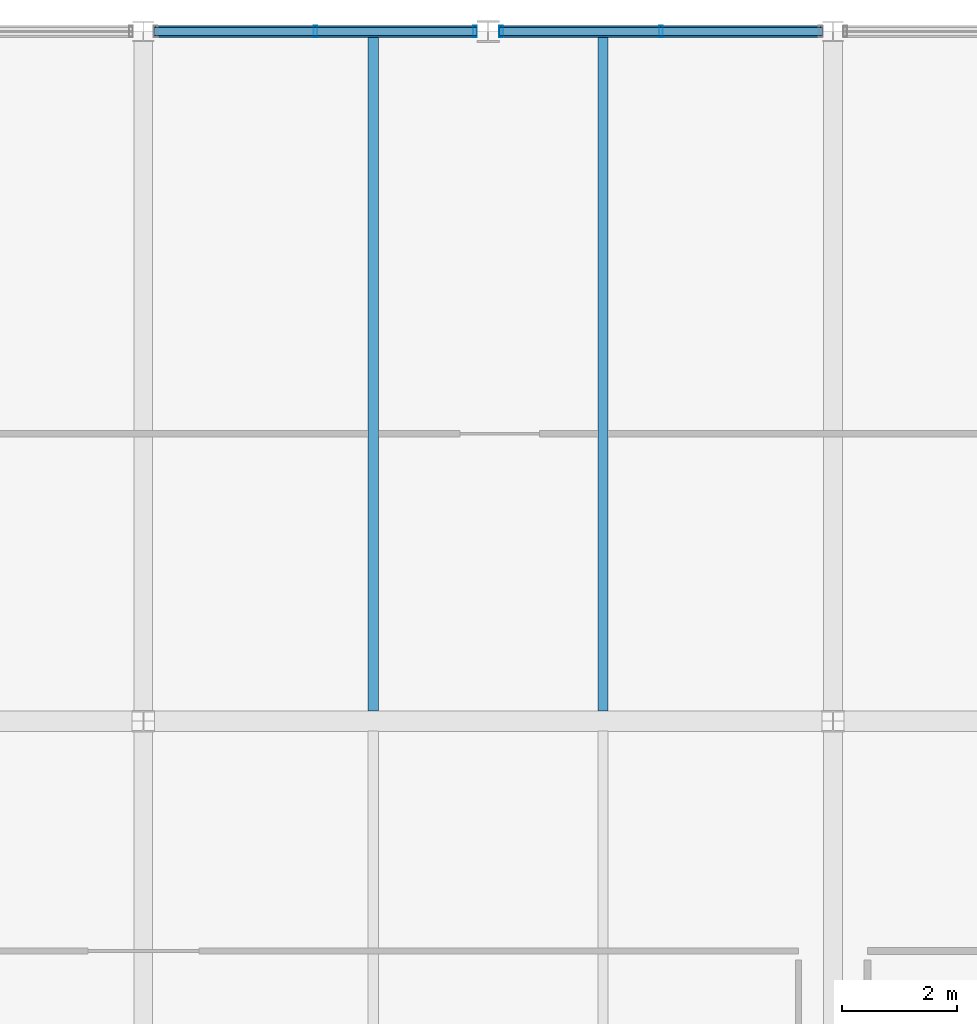
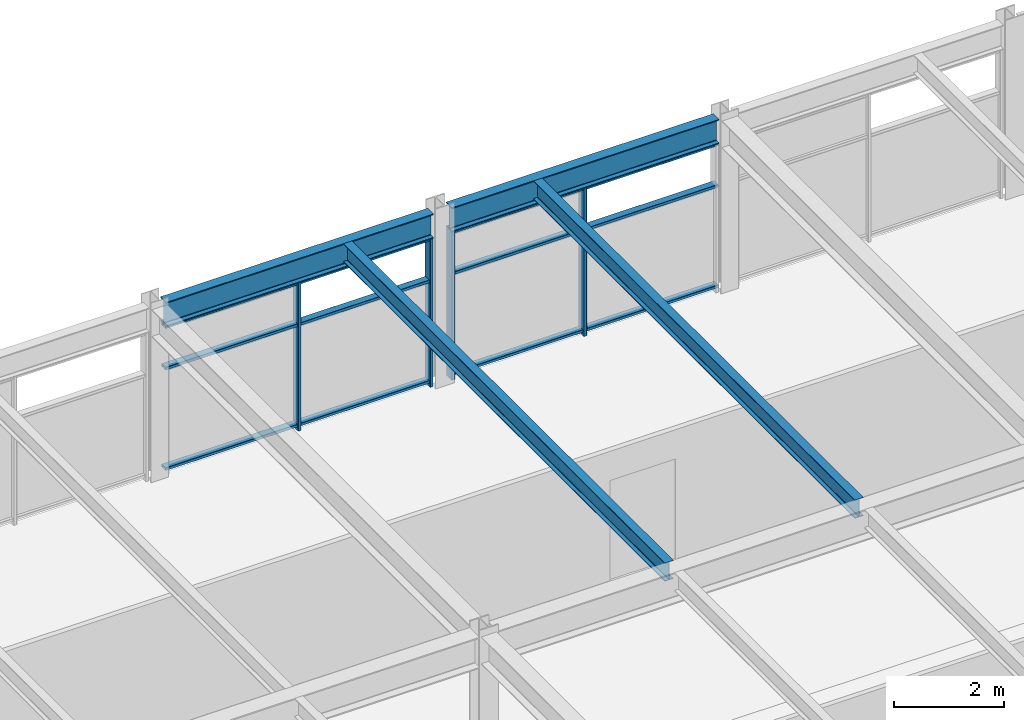
# One storey, part 15 of 30: 10 members, 4 beams, 2 elements without a shape of their own.
"""IFC4 building model written with IfcOpenShell, lengths in metres."""

from ifc_helpers import new_model, si_unit, direction, frame, origin, origin_2d, place, context, subcontext, project, spatial, hollow_rectangle, i_section, extrude, material, material_profile, profile_set, type_object, element, aggregate, save


model = new_model("IFC4")

# Units and contexts
model_context = context("Model", 3, precision=1e-05, world=origin(), true_north=direction((0.0, 1.0)))
body_context = subcontext(model_context, "Body", "Model", "MODEL_VIEW")
ifc_project = project(units=[si_unit("LENGTHUNIT", "METRE"), si_unit("AREAUNIT", "SQUARE_METRE"), si_unit("VOLUMEUNIT", "CUBIC_METRE"), si_unit("PLANEANGLEUNIT", "RADIAN"), si_unit("MASSUNIT", "GRAM", prefix="KILO")], contexts=[model_context])

# Site, building, storey
site_placement = place(None, origin())
site = spatial("IfcSite", under=ifc_project, at=site_placement, CompositionType="ELEMENT")
building_placement = place(site_placement, origin())
building = spatial("IfcBuilding", under=site, at=building_placement, Name="Girod Span Mobility Hub", CompositionType="ELEMENT")
storey_placement = place(building_placement, frame((0.0, 0.0, 49.60009765625)))
storey = spatial("IfcBuildingStorey", under=building, at=storey_placement, Name="L12", CompositionType="ELEMENT", Elevation=49.60009765625)

# Beams
ifc_material_1 = material(Name="Steel A992 Grade 50", Category="steel")
ifc_material_profile_1 = material_profile(ifc_material_1, i_section(OverallWidth=0.178955078125, OverallDepth=0.409912109375, WebThickness=0.0087890625, FlangeThickness=0.014404296875, FilletRadius=0.012939453125, at=origin_2d()), Name="W16X45")
ifc_profile_set_1 = profile_set([ifc_material_profile_1], Name="Steel A992 Grade 50")
beam_type_1 = type_object("IfcBeamType", Name="BM-STL-W16X45", PredefinedType="BEAM", material=ifc_profile_set_1)
for number, where, z_axis, x_axis, name in (
    (1, (88.0, 57.174560546875, 3.639892578125), (0.0, 1.0, 0.0), (-1.0, 0.0, 0.0), "Composite Floorbeam 8/E-1 L12"),
    (2, (92.0, 57.174560546875, 3.639892578125), (0.0, 1.0, 0.0), (-1.0, 0.0, 0.0), "Composite Floorbeam 8/E-2 L12"),
):
    element("IfcBeam", number, at=place(storey_placement, frame(where, z_axis=z_axis, x_axis=x_axis)), inside=storey, type_object=beam_type_1, Name=name, PredefinedType="BEAM", context=body_context, shape_type="SweptSolid", body=[
        extrude(i_section(OverallWidth=0.178955078125, OverallDepth=0.409912109375, WebThickness=0.0087890625, FlangeThickness=0.014404296875, FilletRadius=0.012939453125, at=origin_2d()), origin(), (0.0, 0.0, 1.0), 11.722412109375),
    ])
ifc_material_2 = material(Name="Steel A992 Grade 50", Category="steel")
ifc_material_profile_2 = material_profile(ifc_material_2, i_section(OverallWidth=0.2119140625, OverallDepth=0.5439453125, WebThickness=0.01318359375, FlangeThickness=0.021240234375, FilletRadius=0.014892578125, at=origin_2d()), Name="W21X83")
ifc_profile_set_2 = profile_set([ifc_material_profile_2], Name="Steel A992 Grade 50")
beam_type_2 = type_object("IfcBeamType", Name="BM-STL-W21X83", PredefinedType="SPANDREL", material=ifc_profile_set_2)
for number, where, z_axis, x_axis, name in (
    (3, (84.181396484375, 69.0, 3.572998046875), (1.0, 0.0, 0.0), (0.0, 1.0, 0.0), "Spandrel Beam 8-9/F-W L12"),
    (4, (90.194091796875, 69.0, 3.572998046875), (1.0, 0.0, 0.0), (0.0, 1.0, 0.0), "Spandrel Beam 8-9/F-E L12"),
):
    element("IfcBeam", number, at=place(storey_placement, frame(where, z_axis=z_axis, x_axis=x_axis)), inside=storey, type_object=beam_type_2, Name=name, PredefinedType="SPANDREL", context=body_context, shape_type="SweptSolid", body=[
        extrude(i_section(OverallWidth=0.2119140625, OverallDepth=0.5439453125, WebThickness=0.01318359375, FlangeThickness=0.021240234375, FilletRadius=0.014892578125, at=origin_2d()), origin(), (0.0, 0.0, 1.0), 5.62451171875),
    ])

# Curtain wall, members
ifc_material_3 = material(Name="Thermally Broken Anodised Aluminium", Category="aluminium")
curtain_wall_type = type_object("IfcCurtainWallType", Name="CW-562X330", PredefinedType="USERDEFINED", material=ifc_material_3)
curtain_wall_1_placement = place(storey_placement, origin())
curtain_wall_1 = element("IfcCurtainWall", 5, at=curtain_wall_1_placement, inside=storey, type_object=curtain_wall_type, Name="Unitised Curtain Wall CW-L12-N08W L12", ObjectType="UNITISED CURTAIN WALL", PredefinedType="USERDEFINED")
ifc_material_4 = material(Name="Thermally Broken Anodised Aluminium", Category="aluminium")
ifc_material_profile_3 = material_profile(ifc_material_4, hollow_rectangle(XDim=0.199951171875, YDim=0.06494140625, WallThickness=0.00390625, InnerFilletRadius=0.00390625, OuterFilletRadius=0.008056640625, at=origin_2d()), Name="CW-ML-65X200")
ifc_profile_set_3 = profile_set([ifc_material_profile_3], Name="Thermally Broken Anodised Aluminium")
member_type_1 = type_object("IfcMemberType", Name="CWM-ML-1", PredefinedType="MULLION", material=ifc_profile_set_3)
member_1_placement = place(storey_placement, frame((86.993896484375, 69.0, 0.0), z_axis=(0.0, 0.0, 1.0), x_axis=(0.0, 1.0, 0.0)))
member_1 = element("IfcMember", 6, at=member_1_placement, type_object=member_type_1, Name="Curtain Wall Mullion CW-L12-N08W-M1", PredefinedType="MULLION", context=body_context, shape_type="SweptSolid", body=[
    extrude(hollow_rectangle(XDim=0.199951171875, YDim=0.06494140625, WallThickness=0.00390625, InnerFilletRadius=0.00390625, OuterFilletRadius=0.008056640625, at=origin_2d()), origin(), (0.0, 0.0, 1.0), 3.30078125),
])
member_2_placement = place(storey_placement, frame((89.77294921875, 69.0, 0.0), z_axis=(0.0, 0.0, 1.0), x_axis=(0.0, 1.0, 0.0)))
member_2 = element("IfcMember", 7, at=member_2_placement, type_object=member_type_1, Name="Curtain Wall Mullion CW-L12-N08W-M2", PredefinedType="MULLION", context=body_context, shape_type="SweptSolid", body=[
    extrude(hollow_rectangle(XDim=0.199951171875, YDim=0.06494140625, WallThickness=0.00390625, InnerFilletRadius=0.00390625, OuterFilletRadius=0.008056640625, at=origin_2d()), origin(), (0.0, 0.0, 1.0), 3.30078125),
])

curtain_wall_2_placement = place(storey_placement, origin())
curtain_wall_2 = element("IfcCurtainWall", 8, at=curtain_wall_2_placement, inside=storey, type_object=curtain_wall_type, Name="Unitised Curtain Wall CW-L12-N08E L12", ObjectType="UNITISED CURTAIN WALL", PredefinedType="USERDEFINED")
member_3_placement = place(storey_placement, frame((90.22705078125, 69.0, 0.0), z_axis=(0.0, 0.0, 1.0), x_axis=(0.0, 1.0, 0.0)))
member_3 = element("IfcMember", 9, at=member_3_placement, type_object=member_type_1, Name="Curtain Wall Mullion CW-L12-N08E-M0", PredefinedType="MULLION", context=body_context, shape_type="SweptSolid", body=[
    extrude(hollow_rectangle(XDim=0.199951171875, YDim=0.06494140625, WallThickness=0.00390625, InnerFilletRadius=0.00390625, OuterFilletRadius=0.008056640625, at=origin_2d()), origin(), (0.0, 0.0, 1.0), 3.30078125),
])
member_4_placement = place(storey_placement, frame((93.006103515625, 69.0, 0.0), z_axis=(0.0, 0.0, 1.0), x_axis=(0.0, 1.0, 0.0)))
member_4 = element("IfcMember", 10, at=member_4_placement, type_object=member_type_1, Name="Curtain Wall Mullion CW-L12-N08E-M1", PredefinedType="MULLION", context=body_context, shape_type="SweptSolid", body=[
    extrude(hollow_rectangle(XDim=0.199951171875, YDim=0.06494140625, WallThickness=0.00390625, InnerFilletRadius=0.00390625, OuterFilletRadius=0.008056640625, at=origin_2d()), origin(), (0.0, 0.0, 1.0), 3.30078125),
])

# Member
ifc_material_5 = material(Name="Thermally Broken Anodised Aluminium", Category="aluminium")
ifc_material_profile_4 = material_profile(ifc_material_5, hollow_rectangle(XDim=0.14990234375, YDim=0.06494140625, WallThickness=0.00390625, InnerFilletRadius=0.00390625, OuterFilletRadius=0.008056640625, at=origin_2d()), Name="CW-TR-65X150")
ifc_profile_set_4 = profile_set([ifc_material_profile_4], Name="Thermally Broken Anodised Aluminium")
member_type_2 = type_object("IfcMemberType", Name="CWM-TR-1", PredefinedType="USERDEFINED", material=ifc_profile_set_4)
member_5_placement = place(storey_placement, frame((84.1826171875, 69.0, 0.107421875), z_axis=(1.0, 0.0, 0.0), x_axis=(0.0, 1.0, 0.0)))
member_5 = element("IfcMember", 11, at=member_5_placement, type_object=member_type_2, Name="Curtain Wall Transom CW-L12-N08W-T1", ObjectType="TRANSOM", PredefinedType="USERDEFINED", context=body_context, shape_type="SweptSolid", body=[
    extrude(hollow_rectangle(XDim=0.14990234375, YDim=0.06494140625, WallThickness=0.00390625, InnerFilletRadius=0.00390625, OuterFilletRadius=0.008056640625, at=origin_2d()), origin(), (0.0, 0.0, 1.0), 5.622314453125),
])

member_6_placement = place(storey_placement, frame((84.1826171875, 69.0, 2.343994140625), z_axis=(1.0, 0.0, 0.0), x_axis=(0.0, 1.0, 0.0)))
member_6 = element("IfcMember", 12, at=member_6_placement, type_object=member_type_2, Name="Curtain Wall Transom CW-L12-N08W-T2", ObjectType="TRANSOM", PredefinedType="USERDEFINED", context=body_context, shape_type="SweptSolid", body=[
    extrude(hollow_rectangle(XDim=0.14990234375, YDim=0.06494140625, WallThickness=0.00390625, InnerFilletRadius=0.00390625, OuterFilletRadius=0.008056640625, at=origin_2d()), origin(), (0.0, 0.0, 1.0), 5.622314453125),
])

member_7_placement = place(storey_placement, frame((84.1826171875, 69.0, 3.268310546875), z_axis=(1.0, 0.0, 0.0), x_axis=(0.0, 1.0, 0.0)))
member_7 = element("IfcMember", 13, at=member_7_placement, type_object=member_type_2, Name="Curtain Wall Transom CW-L12-N08W-T3", ObjectType="TRANSOM", PredefinedType="USERDEFINED", context=body_context, shape_type="SweptSolid", body=[
    extrude(hollow_rectangle(XDim=0.14990234375, YDim=0.06494140625, WallThickness=0.00390625, InnerFilletRadius=0.00390625, OuterFilletRadius=0.008056640625, at=origin_2d()), origin(), (0.0, 0.0, 1.0), 5.622314453125),
])

aggregate(curtain_wall_1, [member_1, member_2, member_5, member_6, member_7])

member_8_placement = place(storey_placement, frame((90.195068359375, 69.0, 0.107421875), z_axis=(1.0, 0.0, 0.0), x_axis=(0.0, 1.0, 0.0)))
member_8 = element("IfcMember", 14, at=member_8_placement, type_object=member_type_2, Name="Curtain Wall Transom CW-L12-N08E-T1", ObjectType="TRANSOM", PredefinedType="USERDEFINED", context=body_context, shape_type="SweptSolid", body=[
    extrude(hollow_rectangle(XDim=0.14990234375, YDim=0.06494140625, WallThickness=0.00390625, InnerFilletRadius=0.00390625, OuterFilletRadius=0.008056640625, at=origin_2d()), origin(), (0.0, 0.0, 1.0), 5.622314453125),
])

member_9_placement = place(storey_placement, frame((90.195068359375, 69.0, 2.343994140625), z_axis=(1.0, 0.0, 0.0), x_axis=(0.0, 1.0, 0.0)))
member_9 = element("IfcMember", 15, at=member_9_placement, type_object=member_type_2, Name="Curtain Wall Transom CW-L12-N08E-T2", ObjectType="TRANSOM", PredefinedType="USERDEFINED", context=body_context, shape_type="SweptSolid", body=[
    extrude(hollow_rectangle(XDim=0.14990234375, YDim=0.06494140625, WallThickness=0.00390625, InnerFilletRadius=0.00390625, OuterFilletRadius=0.008056640625, at=origin_2d()), origin(), (0.0, 0.0, 1.0), 5.622314453125),
])

member_10_placement = place(storey_placement, frame((90.195068359375, 69.0, 3.268310546875), z_axis=(1.0, 0.0, 0.0), x_axis=(0.0, 1.0, 0.0)))
member_10 = element("IfcMember", 16, at=member_10_placement, type_object=member_type_2, Name="Curtain Wall Transom CW-L12-N08E-T3", ObjectType="TRANSOM", PredefinedType="USERDEFINED", context=body_context, shape_type="SweptSolid", body=[
    extrude(hollow_rectangle(XDim=0.14990234375, YDim=0.06494140625, WallThickness=0.00390625, InnerFilletRadius=0.00390625, OuterFilletRadius=0.008056640625, at=origin_2d()), origin(), (0.0, 0.0, 1.0), 5.622314453125),
])

aggregate(curtain_wall_2, [member_3, member_4, member_8, member_9, member_10])

save(model, "model.ifc")
